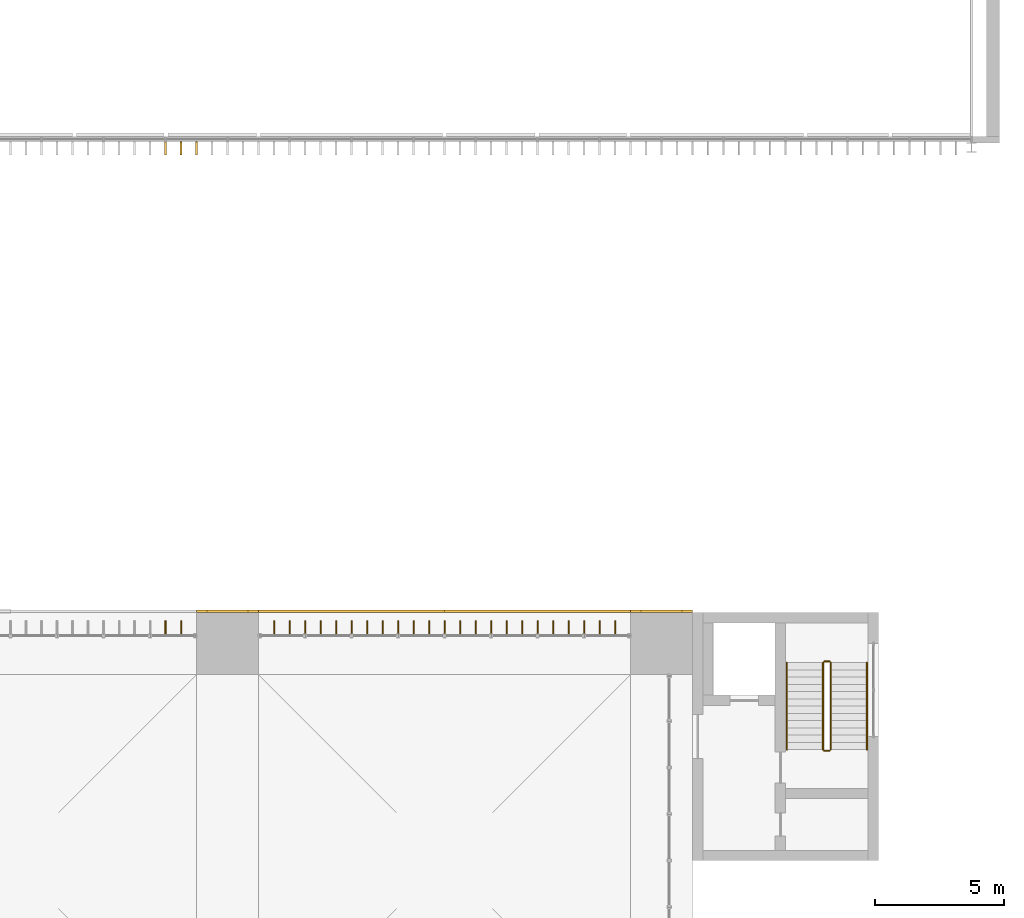
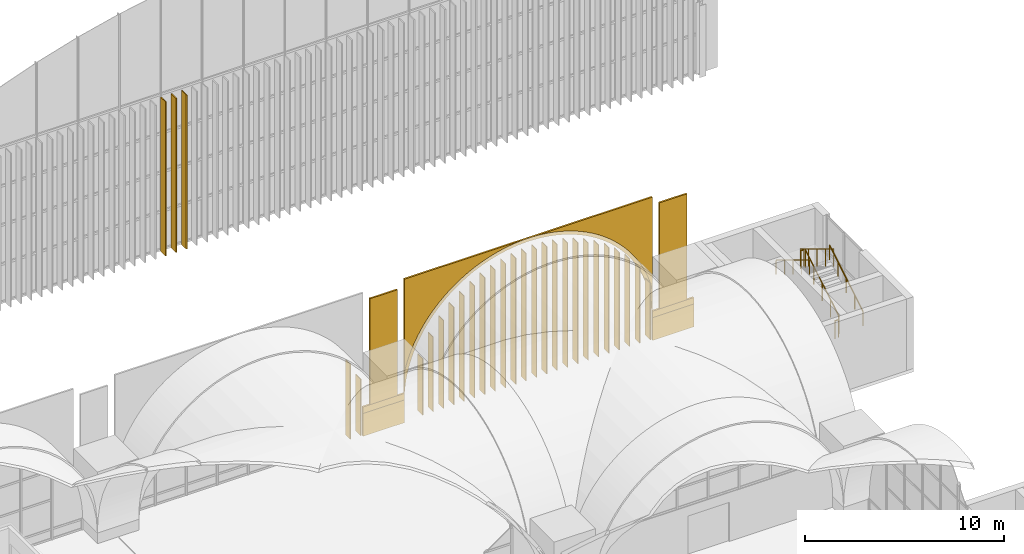
# One storey, part 168 of 169: 28 shading devices, 9 coverings, 6 railings.
"""IFC4 building model written with IfcOpenShell, lengths in metres."""

import ifcopenshell
import ifcopenshell.guid

model = None  # the IFC model being written
_history = None  # IfcOwnerHistory: only IFC2X3 demands one
_inside = {}  # id of a spatial element -> (the spatial element, [elements in it])
_under = {}  # id of a project, library or spatial element -> (it, [spatial elements below it])
_declared = {}  # id of a project -> (the project, [libraries it declares])
_typed = {}  # id of a type object -> (the type object, [elements of that type])
_made_of = {}  # id of a material, layer set ... -> (it, [elements and type objects made of it])


def new_model(schema):
    """Start an empty IFC model of exactly this schema.

    Asked for "IFC4X3", IfcOpenShell would pick the latest addendum, in which some entities
    have other attributes; the version numbers below select the first issue.
    IFC2X3 requires an IfcOwnerHistory on every rooted entity: one is made here for all.
    """
    global model, _history
    if schema == "IFC4X3":
        model = ifcopenshell.file(schema_version=(4, 3, 0, 0))
    else:
        model = ifcopenshell.file(schema=schema)
    _inside.clear()
    _under.clear()
    _declared.clear()
    _typed.clear()
    _made_of.clear()
    _history = None
    if model.schema == "IFC2X3":
        org = make("IfcOrganization", Name="unknown")
        user = make(
            "IfcPersonAndOrganization",
            ThePerson=make("IfcPerson", FamilyName="unknown"),
            TheOrganization=org,
        )
        app = make(
            "IfcApplication",
            ApplicationDeveloper=org,
            Version="unknown",
            ApplicationFullName="unknown",
            ApplicationIdentifier="unknown",
        )
        _history = make(
            "IfcOwnerHistory",
            OwningUser=user,
            OwningApplication=app,
            ChangeAction="ADDED",
            CreationDate=0,
        )
    return model


def make(cls, **values):
    """One entity of the class cls with the attributes given. An attribute that is None is left unset."""
    return model.create_entity(
        cls, **{name: value for name, value in values.items() if value is not None}
    )


def rooted(cls, **values):
    """An entity with a GlobalId (a new one), such as an element, a storey or a relation."""
    return make(cls, GlobalId=ifcopenshell.guid.new(), OwnerHistory=_history, **values)


def si_unit(unit_type, name, prefix=None):
    """IfcSIUnit, for example si_unit("LENGTHUNIT", "METRE", prefix="MILLI")."""
    return make("IfcSIUnit", UnitType=unit_type, Prefix=prefix, Name=name)


def assignment(units):
    """IfcUnitAssignment: the units of a project."""
    return None if units is None else make("IfcUnitAssignment", Units=units)


def point(xyz):
    """IfcCartesianPoint."""
    return None if xyz is None else make("IfcCartesianPoint", Coordinates=xyz)


def direction(xyz):
    """IfcDirection."""
    return None if xyz is None else make("IfcDirection", DirectionRatios=xyz)


def frame(location, z_axis=None, x_axis=None):
    """IfcAxis2Placement3D, a coordinate frame: its origin and axes. An axis left out is left unset."""
    return make(
        "IfcAxis2Placement3D",
        Location=point(location),
        Axis=direction(z_axis),
        RefDirection=direction(x_axis),
    )


def frame_2d(location, x_axis=None):
    """IfcAxis2Placement2D, a coordinate frame in the plane: its origin and x axis."""
    return make(
        "IfcAxis2Placement2D", Location=point(location), RefDirection=direction(x_axis)
    )


def origin():
    """The frame at (0, 0, 0) with its axes left unset."""
    return frame((0.0, 0.0, 0.0))


def origin_2d():
    """The frame at (0, 0) in the plane with its x axis left unset."""
    return frame_2d((0.0, 0.0))


def place(relative_to, where):
    """IfcLocalPlacement: puts the frame where relative to a parent placement (None: the world)."""
    return make(
        "IfcLocalPlacement", PlacementRelTo=relative_to, RelativePlacement=where
    )


def context(
    kind, dimensions, precision=None, world=None, true_north=None, identifier=None
):
    """IfcGeometricRepresentationContext, for example the 3D "Model" context."""
    return make(
        "IfcGeometricRepresentationContext",
        ContextIdentifier=identifier,
        ContextType=kind,
        CoordinateSpaceDimension=dimensions,
        Precision=precision,
        WorldCoordinateSystem=world,
        TrueNorth=true_north,
    )


def subcontext(parent, identifier, kind, view, scale=None):
    """IfcGeometricRepresentationSubContext, for example "Body" below "Model"."""
    return make(
        "IfcGeometricRepresentationSubContext",
        ContextIdentifier=identifier,
        ContextType=kind,
        ParentContext=parent,
        TargetScale=scale,
        TargetView=view,
    )


def project(units=None, contexts=None):
    """IfcProject with its units and contexts."""
    return rooted(
        "IfcProject",
        Name="project",
        RepresentationContexts=contexts,
        UnitsInContext=assignment(units),
    )


def spatial(cls, under=None, at=None, **own):
    """A site, building, storey or space (cls), placed at a placement, below another one or the project."""
    s = rooted(cls, ObjectPlacement=at, **own)
    if under is not None:
        _under.setdefault(under.id(), (under, []))[1].append(s)
    return s


def polyline(points):
    """IfcPolyline through the points."""
    return make("IfcPolyline", Points=[point(p) for p in points])


def profile(cls, at=None, kind="AREA", **sizes):
    """A parametric profile (cls). Its sizes go by their IFC names, for example OverallWidth=200.0."""
    return make(cls, ProfileType=kind, Position=at, **sizes)


def rectangle(**sizes):
    """IfcRectangleProfileDef."""
    return profile("IfcRectangleProfileDef", **sizes)


def circle(**sizes):
    """IfcCircleProfileDef."""
    return profile("IfcCircleProfileDef", **sizes)


def outline(outer, holes=None, kind="AREA"):
    """IfcArbitraryClosedProfileDef: a profile drawn as a closed curve; with holes, ...WithVoids."""
    if holes is None:
        return make("IfcArbitraryClosedProfileDef", ProfileType=kind, OuterCurve=outer)
    return make(
        "IfcArbitraryProfileDefWithVoids",
        ProfileType=kind,
        OuterCurve=outer,
        InnerCurves=holes,
    )


def extrude(swept, where, along, depth):
    """IfcExtrudedAreaSolid: the profile swept, set in the frame where, extruded along a direction by depth."""
    return make(
        "IfcExtrudedAreaSolid",
        SweptArea=swept,
        Position=where,
        ExtrudedDirection=direction(along),
        Depth=depth,
    )


def shape(context_of_items, identifier, shape_type, items):
    """IfcShapeRepresentation: the items that make up one representation, for example the "Body"."""
    return make(
        "IfcShapeRepresentation",
        ContextOfItems=context_of_items,
        RepresentationIdentifier=identifier,
        RepresentationType=shape_type,
        Items=items,
    )


def material(Name=None, Category=None):
    """IfcMaterial."""
    return make("IfcMaterial", Name=Name, Category=Category)


def layer(
    of_material, thickness, ventilated=None, Name=None, Category=None, Priority=None
):
    """IfcMaterialLayer: one layer of a wall or slab, of a material (None: an air gap)."""
    return make(
        "IfcMaterialLayer",
        Material=of_material,
        LayerThickness=thickness,
        IsVentilated=ventilated,
        Name=Name,
        Category=Category,
        Priority=Priority,
    )


def layer_set(layers, Name=None):
    """IfcMaterialLayerSet."""
    return make("IfcMaterialLayerSet", MaterialLayers=layers, LayerSetName=Name)


def made_of(thing, what):
    """Note that an element or type object is made of a material, layer set ...; save() writes the relation."""
    if what is not None:
        _made_of.setdefault(what.id(), (what, []))[1].append(thing)
    return thing


def type_object(cls, material=None, **own):
    """A type object (cls), such as IfcWallType, which elements share."""
    return made_of(rooted(cls, **own), material)


def element(
    cls,
    number,
    at=None,
    inside=None,
    cuts=None,
    type_object=None,
    material=None,
    context=None,
    identifier="Body",
    shape_type=None,
    held_by="IfcProductDefinitionShape",
    body=None,
    shapes=None,
    **own,
):
    """One element of the class cls, such as IfcWall. Its Tag is "e" and its number.

    at: its placement. inside: the storey or other place that contains it. cuts: it is an
    opening in that element (IfcRelVoidsElement). A single representation is given by context,
    identifier, shape_type and body (its items); several are given by shapes. held_by: the class
    of the entity that holds the representations. save() writes the other relations.
    """
    e = rooted(cls, Tag="e%d" % number, ObjectPlacement=at, **own)
    if body is not None:
        shapes = [shape(context, identifier, shape_type, body)]
    if shapes is not None:
        e.Representation = make(held_by, Representations=shapes)
    if inside is not None:
        _inside.setdefault(inside.id(), (inside, []))[1].append(e)
    if cuts is not None:
        rooted(
            "IfcRelVoidsElement", RelatingBuildingElement=cuts, RelatedOpeningElement=e
        )
    if type_object is not None:
        _typed.setdefault(type_object.id(), (type_object, []))[1].append(e)
    return made_of(e, material)


def aggregate(whole, parts):
    """IfcRelAggregates: a whole, such as a stair, and the parts it consists of."""
    return rooted("IfcRelAggregates", RelatingObject=whole, RelatedObjects=parts)


def save(model, path):
    """Write the relations noted so far, then the file.

    IfcRelAggregates (storeys below a building ...), IfcRelContainedInSpatialStructure (elements
    in a storey), IfcRelDefinesByType, IfcRelAssociatesMaterial and IfcRelDeclares: one each for
    every whole, place, type object, material and project.
    """
    for whole, parts in _under.values():
        aggregate(whole, parts)
    for where, things in _inside.values():
        rooted(
            "IfcRelContainedInSpatialStructure",
            RelatedElements=things,
            RelatingStructure=where,
        )
    for kind, things in _typed.values():
        rooted("IfcRelDefinesByType", RelatedObjects=things, RelatingType=kind)
    for what, things in _made_of.values():
        rooted("IfcRelAssociatesMaterial", RelatedObjects=things, RelatingMaterial=what)
    for by, libraries in _declared.values():
        rooted("IfcRelDeclares", RelatingContext=by, RelatedDefinitions=libraries)
    model.write(path)


model = new_model("IFC4")

# Units and contexts
model_context = context("Model", 3, precision=1e-05, world=origin(), true_north=direction((0.0, 1.0)))
body_context = subcontext(model_context, "Body", "Model", "MODEL_VIEW")
ifc_project = project(units=[si_unit("LENGTHUNIT", "METRE"), si_unit("AREAUNIT", "SQUARE_METRE"), si_unit("VOLUMEUNIT", "CUBIC_METRE"), si_unit("PLANEANGLEUNIT", "RADIAN"), si_unit("MASSUNIT", "GRAM", prefix="KILO")], contexts=[model_context])

# Site, building, storey
site_placement = place(None, origin())
site = spatial("IfcSite", under=ifc_project, at=site_placement, CompositionType="ELEMENT")
building_placement = place(site_placement, origin())
building = spatial("IfcBuilding", under=site, at=building_placement, Name="Verrick Yard Athletic Hall", CompositionType="ELEMENT")
storey_placement = place(building_placement, frame((0.0, 0.0, 4.39990234375)))
storey = spatial("IfcBuildingStorey", under=building, at=storey_placement, Name="L01", CompositionType="ELEMENT", Elevation=4.39990234375)

# Shading devices
ifc_material_1 = material(Name="Anodised aluminium", Category="aluminium")
ifc_layer_1 = layer(ifc_material_1, 0.0400390625)
ifc_layer_set_1 = layer_set([ifc_layer_1], Name="Arcade fin")
shading_device_type_1 = type_object("IfcShadingDeviceType", Name="Arcade fin", PredefinedType="USERDEFINED", material=ifc_layer_set_1)
shading_device_1_placement = place(storey_placement, frame((138.39990234375, 53.17626953125, 0.0), z_axis=(0.0, 0.0, 1.0), x_axis=(0.0, 1.0, 0.0)))
element("IfcShadingDevice", 1, at=shading_device_1_placement, inside=storey, type_object=shading_device_type_1, Name="Fin RN6.22", ObjectType="FIN", PredefinedType="USERDEFINED", context=body_context, shape_type="SweptSolid", body=[
    extrude(outline(polyline([(0.0, 0.0), (0.5, 0.0), (0.5, 4.5966796875), (0.0, 4.5966796875), (0.0, 0.0)])), frame((0.0, 0.02001953125, 0.0), z_axis=(0.0, -1.0, 0.0), x_axis=(1.0, 0.0, 0.0)), (0.0, 0.0, 1.0), 0.0400390625),
])
for number, where, z_axis, x_axis, name in (
    (2, (139.0, 53.17626953125, 0.0), (0.0, 0.0, 1.0), (0.0, 1.0, 0.0), "Fin RN6.23"),
    (3, (142.60009765625, 53.17626953125, 0.0), (0.0, 0.0, 1.0), (0.0, 1.0, 0.0), "Fin RN7.1"),
):
    element("IfcShadingDevice", number, at=place(storey_placement, frame(where, z_axis=z_axis, x_axis=x_axis)), inside=storey, type_object=shading_device_type_1, Name=name, ObjectType="FIN", PredefinedType="USERDEFINED", context=body_context, shape_type="SweptSolid", body=[
        extrude(outline(polyline([(0.0, 0.0), (0.5, 0.0), (0.5, 3.4775390625), (0.0, 3.4775390625), (0.0, 0.0)])), frame((0.0, 0.02001953125, 0.0), z_axis=(0.0, -1.0, 0.0), x_axis=(1.0, 0.0, 0.0)), (0.0, 0.0, 1.0), 0.0400390625),
    ])
shading_device_2_placement = place(storey_placement, frame((143.199951171875, 53.17626953125, 0.0), z_axis=(0.0, 0.0, 1.0), x_axis=(0.0, 1.0, 0.0)))
element("IfcShadingDevice", 4, at=shading_device_2_placement, inside=storey, type_object=shading_device_type_1, Name="Fin RN7.2", ObjectType="FIN", PredefinedType="USERDEFINED", context=body_context, shape_type="SweptSolid", body=[
    extrude(outline(polyline([(0.0, 0.0), (0.5, 0.0), (0.5, 4.5966796875), (0.0, 4.5966796875), (0.0, 0.0)])), frame((0.0, 0.02001953125, 0.0), z_axis=(0.0, -1.0, 0.0), x_axis=(1.0, 0.0, 0.0)), (0.0, 0.0, 1.0), 0.0400390625),
])
shading_device_3_placement = place(storey_placement, frame((143.800048828125, 53.17626953125, 0.0), z_axis=(0.0, 0.0, 1.0), x_axis=(0.0, 1.0, 0.0)))
element("IfcShadingDevice", 5, at=shading_device_3_placement, inside=storey, type_object=shading_device_type_1, Name="Fin RN7.3", ObjectType="FIN", PredefinedType="USERDEFINED", context=body_context, shape_type="SweptSolid", body=[
    extrude(outline(polyline([(0.0, 0.0), (0.5, 0.0), (0.5, 5.38671875), (0.0, 5.38671875), (0.0, 0.0)])), frame((0.0, 0.02001953125, 0.0), z_axis=(0.0, -1.0, 0.0), x_axis=(1.0, 0.0, 0.0)), (0.0, 0.0, 1.0), 0.0400390625),
])
shading_device_4_placement = place(storey_placement, frame((144.39990234375, 53.17626953125, 0.0), z_axis=(0.0, 0.0, 1.0), x_axis=(0.0, 1.0, 0.0)))
element("IfcShadingDevice", 6, at=shading_device_4_placement, inside=storey, type_object=shading_device_type_1, Name="Fin RN7.4", ObjectType="FIN", PredefinedType="USERDEFINED", context=body_context, shape_type="SweptSolid", body=[
    extrude(outline(polyline([(0.0, 0.0), (0.5, 0.0), (0.5, 5.996826171875), (0.0, 5.996826171875), (0.0, 0.0)])), frame((0.0, 0.02001953125, 0.0), z_axis=(0.0, -1.0, 0.0), x_axis=(1.0, 0.0, 0.0)), (0.0, 0.0, 1.0), 0.0400390625),
])
shading_device_5_placement = place(storey_placement, frame((145.0, 53.17626953125, 0.0), z_axis=(0.0, 0.0, 1.0), x_axis=(0.0, 1.0, 0.0)))
element("IfcShadingDevice", 7, at=shading_device_5_placement, inside=storey, type_object=shading_device_type_1, Name="Fin RN7.5", ObjectType="FIN", PredefinedType="USERDEFINED", context=body_context, shape_type="SweptSolid", body=[
    extrude(outline(polyline([(0.0, 0.0), (0.5, 0.0), (0.5, 6.481201171875), (0.0, 6.481201171875), (0.0, 0.0)])), frame((0.0, 0.02001953125, 0.0), z_axis=(0.0, -1.0, 0.0), x_axis=(1.0, 0.0, 0.0)), (0.0, 0.0, 1.0), 0.0400390625),
])
shading_device_6_placement = place(storey_placement, frame((145.60009765625, 53.17626953125, 0.0), z_axis=(0.0, 0.0, 1.0), x_axis=(0.0, 1.0, 0.0)))
element("IfcShadingDevice", 8, at=shading_device_6_placement, inside=storey, type_object=shading_device_type_1, Name="Fin RN7.6", ObjectType="FIN", PredefinedType="USERDEFINED", context=body_context, shape_type="SweptSolid", body=[
    extrude(outline(polyline([(0.0, 0.0), (0.5, 0.0), (0.5, 6.872802734375), (0.0, 6.872802734375), (0.0, 0.0)])), frame((0.0, 0.02001953125, 0.0), z_axis=(0.0, -1.0, 0.0), x_axis=(1.0, 0.0, 0.0)), (0.0, 0.0, 1.0), 0.0400390625),
])
shading_device_7_placement = place(storey_placement, frame((146.199951171875, 53.17626953125, 0.0), z_axis=(0.0, 0.0, 1.0), x_axis=(0.0, 1.0, 0.0)))
element("IfcShadingDevice", 9, at=shading_device_7_placement, inside=storey, type_object=shading_device_type_1, Name="Fin RN7.7", ObjectType="FIN", PredefinedType="USERDEFINED", context=body_context, shape_type="SweptSolid", body=[
    extrude(outline(polyline([(0.0, 0.0), (0.5, 0.0), (0.5, 7.18505859375), (0.0, 7.18505859375), (0.0, 0.0)])), frame((0.0, 0.02001953125, 0.0), z_axis=(0.0, -1.0, 0.0), x_axis=(1.0, 0.0, 0.0)), (0.0, 0.0, 1.0), 0.0400390625),
])
shading_device_8_placement = place(storey_placement, frame((146.800048828125, 53.17626953125, 0.0), z_axis=(0.0, 0.0, 1.0), x_axis=(0.0, 1.0, 0.0)))
element("IfcShadingDevice", 10, at=shading_device_8_placement, inside=storey, type_object=shading_device_type_1, Name="Fin RN7.8", ObjectType="FIN", PredefinedType="USERDEFINED", context=body_context, shape_type="SweptSolid", body=[
    extrude(outline(polyline([(0.0, 0.0), (0.5, 0.0), (0.5, 7.4296875), (0.0, 7.4296875), (0.0, 0.0)])), frame((0.0, 0.02001953125, 0.0), z_axis=(0.0, -1.0, 0.0), x_axis=(1.0, 0.0, 0.0)), (0.0, 0.0, 1.0), 0.0400390625),
])
shading_device_9_placement = place(storey_placement, frame((147.39990234375, 53.17626953125, 0.0), z_axis=(0.0, 0.0, 1.0), x_axis=(0.0, 1.0, 0.0)))
element("IfcShadingDevice", 11, at=shading_device_9_placement, inside=storey, type_object=shading_device_type_1, Name="Fin RN7.9", ObjectType="FIN", PredefinedType="USERDEFINED", context=body_context, shape_type="SweptSolid", body=[
    extrude(outline(polyline([(0.0, 0.0), (0.5, 0.0), (0.5, 7.614990234375), (0.0, 7.614990234375), (0.0, 0.0)])), frame((0.0, 0.02001953125, 0.0), z_axis=(0.0, -1.0, 0.0), x_axis=(1.0, 0.0, 0.0)), (0.0, 0.0, 1.0), 0.0400390625),
])
shading_device_10_placement = place(storey_placement, frame((148.0, 53.17626953125, 0.0), z_axis=(0.0, 0.0, 1.0), x_axis=(0.0, 1.0, 0.0)))
element("IfcShadingDevice", 12, at=shading_device_10_placement, inside=storey, type_object=shading_device_type_1, Name="Fin RN7.10", ObjectType="FIN", PredefinedType="USERDEFINED", context=body_context, shape_type="SweptSolid", body=[
    extrude(outline(polyline([(0.0, 0.0), (0.5, 0.0), (0.5, 7.744873046875), (0.0, 7.744873046875), (0.0, 0.0)])), frame((0.0, 0.02001953125, 0.0), z_axis=(0.0, -1.0, 0.0), x_axis=(1.0, 0.0, 0.0)), (0.0, 0.0, 1.0), 0.0400390625),
])
shading_device_11_placement = place(storey_placement, frame((148.60009765625, 53.17626953125, 0.0), z_axis=(0.0, 0.0, 1.0), x_axis=(0.0, 1.0, 0.0)))
element("IfcShadingDevice", 13, at=shading_device_11_placement, inside=storey, type_object=shading_device_type_1, Name="Fin RN7.11", ObjectType="FIN", PredefinedType="USERDEFINED", context=body_context, shape_type="SweptSolid", body=[
    extrude(outline(polyline([(0.0, 0.0), (0.5, 0.0), (0.5, 7.82275390625), (0.0, 7.82275390625), (0.0, 0.0)])), frame((0.0, 0.02001953125, 0.0), z_axis=(0.0, -1.0, 0.0), x_axis=(1.0, 0.0, 0.0)), (0.0, 0.0, 1.0), 0.0400390625),
])
shading_device_12_placement = place(storey_placement, frame((149.199951171875, 53.17626953125, 0.0), z_axis=(0.0, 0.0, 1.0), x_axis=(0.0, 1.0, 0.0)))
element("IfcShadingDevice", 14, at=shading_device_12_placement, inside=storey, type_object=shading_device_type_1, Name="Fin RN7.12", ObjectType="FIN", PredefinedType="USERDEFINED", context=body_context, shape_type="SweptSolid", body=[
    extrude(outline(polyline([(0.0, 0.0), (0.5, 0.0), (0.5, 7.84912109375), (0.0, 7.84912109375), (0.0, 0.0)])), frame((0.0, 0.02001953125, 0.0), z_axis=(0.0, -1.0, 0.0), x_axis=(1.0, 0.0, 0.0)), (0.0, 0.0, 1.0), 0.0400390625),
])
shading_device_13_placement = place(storey_placement, frame((149.800048828125, 53.17626953125, 0.0), z_axis=(0.0, 0.0, 1.0), x_axis=(0.0, 1.0, 0.0)))
element("IfcShadingDevice", 15, at=shading_device_13_placement, inside=storey, type_object=shading_device_type_1, Name="Fin RN7.13", ObjectType="FIN", PredefinedType="USERDEFINED", context=body_context, shape_type="SweptSolid", body=[
    extrude(outline(polyline([(0.0, 0.0), (0.5, 0.0), (0.5, 7.82275390625), (0.0, 7.82275390625), (0.0, 0.0)])), frame((0.0, 0.02001953125, 0.0), z_axis=(0.0, -1.0, 0.0), x_axis=(1.0, 0.0, 0.0)), (0.0, 0.0, 1.0), 0.0400390625),
])
shading_device_14_placement = place(storey_placement, frame((150.39990234375, 53.17626953125, 0.0), z_axis=(0.0, 0.0, 1.0), x_axis=(0.0, 1.0, 0.0)))
element("IfcShadingDevice", 16, at=shading_device_14_placement, inside=storey, type_object=shading_device_type_1, Name="Fin RN7.14", ObjectType="FIN", PredefinedType="USERDEFINED", context=body_context, shape_type="SweptSolid", body=[
    extrude(outline(polyline([(0.0, 0.0), (0.5, 0.0), (0.5, 7.744873046875), (0.0, 7.744873046875), (0.0, 0.0)])), frame((0.0, 0.02001953125, 0.0), z_axis=(0.0, -1.0, 0.0), x_axis=(1.0, 0.0, 0.0)), (0.0, 0.0, 1.0), 0.0400390625),
])
shading_device_15_placement = place(storey_placement, frame((151.0, 53.17626953125, 0.0), z_axis=(0.0, 0.0, 1.0), x_axis=(0.0, 1.0, 0.0)))
element("IfcShadingDevice", 17, at=shading_device_15_placement, inside=storey, type_object=shading_device_type_1, Name="Fin RN7.15", ObjectType="FIN", PredefinedType="USERDEFINED", context=body_context, shape_type="SweptSolid", body=[
    extrude(outline(polyline([(0.0, 0.0), (0.5, 0.0), (0.5, 7.614990234375), (0.0, 7.614990234375), (0.0, 0.0)])), frame((0.0, 0.02001953125, 0.0), z_axis=(0.0, -1.0, 0.0), x_axis=(1.0, 0.0, 0.0)), (0.0, 0.0, 1.0), 0.0400390625),
])
shading_device_16_placement = place(storey_placement, frame((151.60009765625, 53.17626953125, 0.0), z_axis=(0.0, 0.0, 1.0), x_axis=(0.0, 1.0, 0.0)))
element("IfcShadingDevice", 18, at=shading_device_16_placement, inside=storey, type_object=shading_device_type_1, Name="Fin RN7.16", ObjectType="FIN", PredefinedType="USERDEFINED", context=body_context, shape_type="SweptSolid", body=[
    extrude(outline(polyline([(0.0, 0.0), (0.5, 0.0), (0.5, 7.4296875), (0.0, 7.4296875), (0.0, 0.0)])), frame((0.0, 0.02001953125, 0.0), z_axis=(0.0, -1.0, 0.0), x_axis=(1.0, 0.0, 0.0)), (0.0, 0.0, 1.0), 0.0400390625),
])
shading_device_17_placement = place(storey_placement, frame((152.199951171875, 53.17626953125, 0.0), z_axis=(0.0, 0.0, 1.0), x_axis=(0.0, 1.0, 0.0)))
element("IfcShadingDevice", 19, at=shading_device_17_placement, inside=storey, type_object=shading_device_type_1, Name="Fin RN7.17", ObjectType="FIN", PredefinedType="USERDEFINED", context=body_context, shape_type="SweptSolid", body=[
    extrude(outline(polyline([(0.0, 0.0), (0.5, 0.0), (0.5, 7.18505859375), (0.0, 7.18505859375), (0.0, 0.0)])), frame((0.0, 0.02001953125, 0.0), z_axis=(0.0, -1.0, 0.0), x_axis=(1.0, 0.0, 0.0)), (0.0, 0.0, 1.0), 0.0400390625),
])
shading_device_18_placement = place(storey_placement, frame((152.800048828125, 53.17626953125, 0.0), z_axis=(0.0, 0.0, 1.0), x_axis=(0.0, 1.0, 0.0)))
element("IfcShadingDevice", 20, at=shading_device_18_placement, inside=storey, type_object=shading_device_type_1, Name="Fin RN7.18", ObjectType="FIN", PredefinedType="USERDEFINED", context=body_context, shape_type="SweptSolid", body=[
    extrude(outline(polyline([(0.0, 0.0), (0.5, 0.0), (0.5, 6.872802734375), (0.0, 6.872802734375), (0.0, 0.0)])), frame((0.0, 0.02001953125, 0.0), z_axis=(0.0, -1.0, 0.0), x_axis=(1.0, 0.0, 0.0)), (0.0, 0.0, 1.0), 0.0400390625),
])
shading_device_19_placement = place(storey_placement, frame((153.39990234375, 53.17626953125, 0.0), z_axis=(0.0, 0.0, 1.0), x_axis=(0.0, 1.0, 0.0)))
element("IfcShadingDevice", 21, at=shading_device_19_placement, inside=storey, type_object=shading_device_type_1, Name="Fin RN7.19", ObjectType="FIN", PredefinedType="USERDEFINED", context=body_context, shape_type="SweptSolid", body=[
    extrude(outline(polyline([(0.0, 0.0), (0.5, 0.0), (0.5, 6.481201171875), (0.0, 6.481201171875), (0.0, 0.0)])), frame((0.0, 0.02001953125, 0.0), z_axis=(0.0, -1.0, 0.0), x_axis=(1.0, 0.0, 0.0)), (0.0, 0.0, 1.0), 0.0400390625),
])
shading_device_20_placement = place(storey_placement, frame((154.0, 53.17626953125, 0.0), z_axis=(0.0, 0.0, 1.0), x_axis=(0.0, 1.0, 0.0)))
element("IfcShadingDevice", 22, at=shading_device_20_placement, inside=storey, type_object=shading_device_type_1, Name="Fin RN7.20", ObjectType="FIN", PredefinedType="USERDEFINED", context=body_context, shape_type="SweptSolid", body=[
    extrude(outline(polyline([(0.0, 0.0), (0.5, 0.0), (0.5, 5.996826171875), (0.0, 5.996826171875), (0.0, 0.0)])), frame((0.0, 0.02001953125, 0.0), z_axis=(0.0, -1.0, 0.0), x_axis=(1.0, 0.0, 0.0)), (0.0, 0.0, 1.0), 0.0400390625),
])
shading_device_21_placement = place(storey_placement, frame((154.60009765625, 53.17626953125, 0.0), z_axis=(0.0, 0.0, 1.0), x_axis=(0.0, 1.0, 0.0)))
element("IfcShadingDevice", 23, at=shading_device_21_placement, inside=storey, type_object=shading_device_type_1, Name="Fin RN7.21", ObjectType="FIN", PredefinedType="USERDEFINED", context=body_context, shape_type="SweptSolid", body=[
    extrude(outline(polyline([(0.0, 0.0), (0.5, 0.0), (0.5, 5.38671875), (0.0, 5.38671875), (0.0, 0.0)])), frame((0.0, 0.02001953125, 0.0), z_axis=(0.0, -1.0, 0.0), x_axis=(1.0, 0.0, 0.0)), (0.0, 0.0, 1.0), 0.0400390625),
])
shading_device_22_placement = place(storey_placement, frame((155.199951171875, 53.17626953125, 0.0), z_axis=(0.0, 0.0, 1.0), x_axis=(0.0, 1.0, 0.0)))
element("IfcShadingDevice", 24, at=shading_device_22_placement, inside=storey, type_object=shading_device_type_1, Name="Fin RN7.22", ObjectType="FIN", PredefinedType="USERDEFINED", context=body_context, shape_type="SweptSolid", body=[
    extrude(outline(polyline([(0.0, 0.0), (0.5, 0.0), (0.5, 4.5966796875), (0.0, 4.5966796875), (0.0, 0.0)])), frame((0.0, 0.02001953125, 0.0), z_axis=(0.0, -1.0, 0.0), x_axis=(1.0, 0.0, 0.0)), (0.0, 0.0, 1.0), 0.0400390625),
])
shading_device_23_placement = place(storey_placement, frame((155.800048828125, 53.17626953125, 0.0), z_axis=(0.0, 0.0, 1.0), x_axis=(0.0, 1.0, 0.0)))
element("IfcShadingDevice", 25, at=shading_device_23_placement, inside=storey, type_object=shading_device_type_1, Name="Fin RN7.23", ObjectType="FIN", PredefinedType="USERDEFINED", context=body_context, shape_type="SweptSolid", body=[
    extrude(outline(polyline([(0.0, 0.0), (0.5, 0.0), (0.5, 3.4775390625), (0.0, 3.4775390625), (0.0, 0.0)])), frame((0.0, 0.02001953125, 0.0), z_axis=(0.0, -1.0, 0.0), x_axis=(1.0, 0.0, 0.0)), (0.0, 0.0, 1.0), 0.0400390625),
])

# Covering
ifc_material_2 = material(Name="Limestone cladding", Category="masonry")
ifc_layer_2 = layer(ifc_material_2, 0.10009765625)
ifc_layer_set_2 = layer_set([ifc_layer_2], Name="Arch ring cladding")
covering_type_1 = type_object("IfcCoveringType", Name="Arch ring cladding", PredefinedType="CLADDING", material=ifc_layer_set_2)
covering_1_placement = place(storey_placement, frame((142.0, 54.050048828125, 0.650146484375), z_axis=(0.0, 0.0, 1.0), x_axis=(1.0, 0.0, 0.0)))
element("IfcCovering", 26, at=covering_1_placement, inside=storey, type_object=covering_type_1, Name="Arch ring RN7", PredefinedType="CLADDING", context=body_context, shape_type="SweptSolid", body=[
    extrude(outline(polyline([(0.0, 1.7021484375), (0.0, 0.0), (0.0068359375, 0.31396484375), (0.02734375, 0.62744140625), (0.0615234375, 0.939697265625), (0.109375, 1.250244140625), (0.170654296875, 1.558349609375), (0.245361328125, 1.863525390625), (0.333251953125, 2.1650390625), (0.43408203125, 2.46240234375), (0.548095703125, 2.75537109375), (0.674560546875, 3.04296875), (0.8134765625, 3.324462890625), (0.964599609375, 3.599853515625), (1.127685546875, 3.86865234375), (1.302001953125, 4.129638671875), (1.48779296875, 4.383056640625), (1.6845703125, 4.6279296875), (1.8916015625, 4.8642578125), (2.10888671875, 5.091064453125), (2.335693359375, 5.308349609375), (2.572021484375, 5.515380859375), (2.81689453125, 5.712158203125), (3.0703125, 5.89794921875), (3.331298828125, 6.072265625), (3.60009765625, 6.2353515625), (3.87548828125, 6.386474609375), (4.156982421875, 6.525390625), (4.444580078125, 6.65185546875), (4.737548828125, 6.765869140625), (5.034912109375, 6.86669921875), (5.33642578125, 6.95458984375), (5.6416015625, 7.029296875), (5.94970703125, 7.090576171875), (6.26025390625, 7.138427734375), (6.572509765625, 7.172607421875), (6.885986328125, 7.193115234375), (7.199951171875, 7.199951171875), (7.51416015625, 7.193115234375), (7.827392578125, 7.172607421875), (8.139892578125, 7.138427734375), (8.4501953125, 7.090576171875), (8.75830078125, 7.029296875), (9.0634765625, 6.95458984375), (9.364990234375, 6.86669921875), (9.66259765625, 6.765869140625), (9.955322265625, 6.65185546875), (10.242919921875, 6.525390625), (10.524658203125, 6.386474609375), (10.800048828125, 6.2353515625), (11.068603515625, 6.072265625), (11.329833984375, 5.89794921875), (11.5830078125, 5.712158203125), (11.828125, 5.515380859375), (12.064208984375, 5.308349609375), (12.291259765625, 5.091064453125), (12.50830078125, 4.8642578125), (12.715576171875, 4.6279296875), (12.912109375, 4.383056640625), (13.097900390625, 4.129638671875), (13.2724609375, 3.86865234375), (13.435302734375, 3.599853515625), (13.58642578125, 3.324462890625), (13.725341796875, 3.04296875), (13.851806640625, 2.75537109375), (13.9658203125, 2.46240234375), (14.06689453125, 2.1650390625), (14.15478515625, 1.863525390625), (14.229248046875, 1.558349609375), (14.29052734375, 1.250244140625), (14.33837890625, 0.939697265625), (14.37255859375, 0.62744140625), (14.39306640625, 0.31396484375), (14.39990234375, 0.0), (14.39990234375, 1.7021484375), (14.347900390625, 1.915283203125), (14.257568359375, 2.22509765625), (14.15380859375, 2.53076171875), (14.03662109375, 2.831787109375), (13.90673828125, 3.12744140625), (13.763916015625, 3.416748046875), (13.608642578125, 3.699951171875), (13.441162109375, 3.975830078125), (13.26171875, 4.244384765625), (13.07080078125, 4.504638671875), (12.86865234375, 4.756591796875), (12.656005859375, 4.999267578125), (12.4326171875, 5.232666015625), (12.199462890625, 5.455810546875), (11.95654296875, 5.668701171875), (11.704833984375, 5.870849609375), (11.444580078125, 6.061767578125), (11.176025390625, 6.240966796875), (10.89990234375, 6.408447265625), (10.616943359375, 6.56396484375), (10.327392578125, 6.70654296875), (10.031982421875, 6.836669921875), (9.73095703125, 6.95361328125), (9.42529296875, 7.057373046875), (9.115234375, 7.14794921875), (8.8017578125, 7.224609375), (8.485107421875, 7.28759765625), (8.166015625, 7.336669921875), (7.844970703125, 7.371826171875), (7.522705078125, 7.39306640625), (7.199951171875, 7.39990234375), (6.877197265625, 7.39306640625), (6.554931640625, 7.371826171875), (6.234130859375, 7.336669921875), (5.9150390625, 7.28759765625), (5.598388671875, 7.224609375), (5.28466796875, 7.14794921875), (4.974853515625, 7.057373046875), (4.669189453125, 6.95361328125), (4.3681640625, 6.836669921875), (4.072509765625, 6.70654296875), (3.783203125, 6.56396484375), (3.5, 6.408447265625), (3.22412109375, 6.240966796875), (2.95556640625, 6.061767578125), (2.6953125, 5.870849609375), (2.443359375, 5.668701171875), (2.20068359375, 5.455810546875), (1.96728515625, 5.232666015625), (1.744140625, 4.999267578125), (1.53125, 4.756591796875), (1.3291015625, 4.504638671875), (1.13818359375, 4.244384765625), (0.958984375, 3.975830078125), (0.79150390625, 3.699951171875), (0.635986328125, 3.416748046875), (0.493408203125, 3.12744140625), (0.36328125, 2.831787109375), (0.246337890625, 2.53076171875), (0.142578125, 2.22509765625), (0.052001953125, 1.915283203125), (0.0, 1.7021484375)])), frame((0.0, 0.050048828125, 0.0), z_axis=(0.0, -1.0, 0.0), x_axis=(1.0, 0.0, 0.0)), (0.0, 0.0, 1.0), 0.10009765625),
])

# Shading devices
ifc_layer_3 = layer(ifc_material_1, 0.0625)
ifc_layer_set_3 = layer_set([ifc_layer_3], Name="Hall facade fin")
shading_device_type_2 = type_object("IfcShadingDeviceType", Name="Hall facade fin", PredefinedType="USERDEFINED", material=ifc_layer_set_3)
for number, where, z_axis, x_axis, name in (
    (27, (138.39990234375, 71.71826171875, 0.0), (0.0, 0.0, 1.0), (0.0, 1.0, 0.0), "ENVB-HAS-FIN27"),
    (28, (139.0, 71.71826171875, 0.0), (0.0, 0.0, 1.0), (0.0, 1.0, 0.0), "ENVB-HAS-FIN28"),
    (29, (139.60009765625, 71.71826171875, 0.0), (0.0, 0.0, 1.0), (0.0, 1.0, 0.0), "ENVB-HAS-FIN29"),
):
    element("IfcShadingDevice", number, at=place(storey_placement, frame(where, z_axis=z_axis, x_axis=x_axis)), inside=storey, type_object=shading_device_type_2, Name=name, ObjectType="FIN", PredefinedType="USERDEFINED", context=body_context, shape_type="SweptSolid", body=[
        extrude(outline(polyline([(0.0, 0.0), (0.5, 0.0), (0.5, 9.4501953125), (0.0, 9.4501953125), (0.0, 0.0)])), frame((0.0, 0.03125, 0.0), z_axis=(0.0, -1.0, 0.0), x_axis=(1.0, 0.0, 0.0)), (0.0, 0.0, 1.0), 0.0625),
    ])

# Coverings
ifc_layer_4 = layer(ifc_material_2, 0.10009765625)
ifc_layer_set_4 = layer_set([ifc_layer_4], Name="Impost and capital moulding")
covering_type_2 = type_object("IfcCoveringType", Name="Impost and capital moulding", PredefinedType="MOLDING", material=ifc_layer_set_4)
for number, where, z_axis, x_axis, name in (
    (30, (140.800048828125, 54.050048828125, 0.650146484375), (0.0, 0.0, 1.0), (1.0, 0.0, 0.0), "Impost N7"),
    (31, (157.60009765625, 54.050048828125, 0.650146484375), (0.0, 0.0, 1.0), (1.0, 0.0, 0.0), "Impost N8"),
):
    element("IfcCovering", number, at=place(storey_placement, frame(where, z_axis=z_axis, x_axis=x_axis)), inside=storey, type_object=covering_type_2, Name=name, PredefinedType="MOLDING", context=body_context, shape_type="SweptSolid", body=[
        extrude(rectangle(XDim=2.39990234375, YDim=0.10009765625, at=origin_2d()), origin(), (0.0, 0.0, 1.0), 0.39990234375),
    ])
ifc_material_3 = material(Name="Rusticated limestone cladding", Category="masonry")
ifc_layer_5 = layer(ifc_material_3, 0.10009765625)
ifc_layer_set_5 = layer_set([ifc_layer_5], Name="Pier base cladding")
covering_type_3 = type_object("IfcCoveringType", Name="Pier base cladding", PredefinedType="CLADDING", material=ifc_layer_set_5)
for number, where, z_axis, x_axis, name in (
    (32, (140.800048828125, 54.050048828125, -0.749755859375), (0.0, 0.0, 1.0), (1.0, 0.0, 0.0), "Pier string N7"),
    (33, (157.60009765625, 54.050048828125, -0.749755859375), (0.0, 0.0, 1.0), (1.0, 0.0, 0.0), "Pier string N8"),
):
    element("IfcCovering", number, at=place(storey_placement, frame(where, z_axis=z_axis, x_axis=x_axis)), inside=storey, type_object=covering_type_3, Name=name, PredefinedType="CLADDING", context=body_context, shape_type="SweptSolid", body=[
        extrude(rectangle(XDim=2.39990234375, YDim=0.10009765625, at=origin_2d()), origin(), (0.0, 0.0, 1.0), 1.39990234375),
    ])
ifc_layer_6 = layer(ifc_material_2, 0.10009765625)
ifc_layer_set_6 = layer_set([ifc_layer_6], Name="Pilaster cladding")
covering_type_4 = type_object("IfcCoveringType", Name="Pilaster cladding", PredefinedType="CLADDING", material=ifc_layer_set_6)
for number, where, z_axis, x_axis, name in (
    (34, (140.800048828125, 54.050048828125, 1.050048828125), (0.0, 0.0, 1.0), (1.0, 0.0, 0.0), "Pilaster N7"),
    (35, (157.60009765625, 54.050048828125, 1.050048828125), (0.0, 0.0, 1.0), (1.0, 0.0, 0.0), "Pilaster N8"),
):
    element("IfcCovering", number, at=place(storey_placement, frame(where, z_axis=z_axis, x_axis=x_axis)), inside=storey, type_object=covering_type_4, Name=name, PredefinedType="CLADDING", context=body_context, shape_type="SweptSolid", body=[
        extrude(rectangle(XDim=1.60009765625, YDim=0.10009765625, at=origin_2d()), origin(), (0.0, 0.0, 1.0), 6.5),
    ])
ifc_layer_7 = layer(ifc_material_2, 0.10009765625)
ifc_layer_set_7 = layer_set([ifc_layer_7], Name="Spandrel cladding")
covering_type_5 = type_object("IfcCoveringType", Name="Spandrel cladding", PredefinedType="CLADDING", material=ifc_layer_set_7)
covering_2_placement = place(storey_placement, frame((142.0, 54.050048828125, 2.352294921875), z_axis=(0.0, 0.0, 1.0), x_axis=(1.0, 0.0, 0.0)))
element("IfcCovering", 36, at=covering_2_placement, inside=storey, type_object=covering_type_5, Name="Spandrel RN7.1", PredefinedType="CLADDING", context=body_context, shape_type="SweptSolid", body=[
    extrude(outline(polyline([(0.0, 0.0), (0.052001953125, 0.213134765625), (0.142578125, 0.52294921875), (0.246337890625, 0.82861328125), (0.36328125, 1.129638671875), (0.493408203125, 1.42529296875), (0.635986328125, 1.714599609375), (0.79150390625, 1.997802734375), (0.958984375, 2.273681640625), (1.13818359375, 2.542236328125), (1.3291015625, 2.802490234375), (1.53125, 3.054443359375), (1.744140625, 3.297119140625), (1.96728515625, 3.530517578125), (2.20068359375, 3.753662109375), (2.443359375, 3.966552734375), (2.6953125, 4.168701171875), (2.95556640625, 4.359619140625), (3.22412109375, 4.538818359375), (3.5, 4.706298828125), (3.783203125, 4.86181640625), (4.072509765625, 5.00439453125), (4.3681640625, 5.134521484375), (4.669189453125, 5.25146484375), (4.974853515625, 5.355224609375), (5.28466796875, 5.44580078125), (5.598388671875, 5.5224609375), (5.9150390625, 5.58544921875), (6.234130859375, 5.634521484375), (6.554931640625, 5.669677734375), (6.877197265625, 5.69091796875), (7.199951171875, 5.69775390625), (0.0, 5.69775390625), (0.0, 0.0)])), frame((0.0, 0.050048828125, 0.0), z_axis=(0.0, -1.0, 0.0), x_axis=(1.0, 0.0, 0.0)), (0.0, 0.0, 1.0), 0.10009765625),
])
covering_3_placement = place(storey_placement, frame((142.0, 54.050048828125, 2.352294921875), z_axis=(0.0, 0.0, 1.0), x_axis=(1.0, 0.0, 0.0)))
element("IfcCovering", 37, at=covering_3_placement, inside=storey, type_object=covering_type_5, Name="Spandrel RN7.2", PredefinedType="CLADDING", context=body_context, shape_type="SweptSolid", body=[
    extrude(outline(polyline([(7.199951171875, 5.69775390625), (7.522705078125, 5.69091796875), (7.844970703125, 5.669677734375), (8.166015625, 5.634521484375), (8.485107421875, 5.58544921875), (8.8017578125, 5.5224609375), (9.115234375, 5.44580078125), (9.42529296875, 5.355224609375), (9.73095703125, 5.25146484375), (10.031982421875, 5.134521484375), (10.327392578125, 5.00439453125), (10.616943359375, 4.86181640625), (10.89990234375, 4.706298828125), (11.176025390625, 4.538818359375), (11.444580078125, 4.359619140625), (11.704833984375, 4.168701171875), (11.95654296875, 3.966552734375), (12.199462890625, 3.753662109375), (12.4326171875, 3.530517578125), (12.656005859375, 3.297119140625), (12.86865234375, 3.054443359375), (13.07080078125, 2.802490234375), (13.26171875, 2.542236328125), (13.441162109375, 2.273681640625), (13.608642578125, 1.997802734375), (13.763916015625, 1.714599609375), (13.90673828125, 1.42529296875), (14.03662109375, 1.129638671875), (14.15380859375, 0.82861328125), (14.257568359375, 0.52294921875), (14.347900390625, 0.213134765625), (14.39990234375, 0.0), (14.39990234375, 5.69775390625), (7.199951171875, 5.69775390625)])), frame((0.0, 0.050048828125, 0.0), z_axis=(0.0, -1.0, 0.0), x_axis=(1.0, 0.0, 0.0)), (0.0, 0.0, 1.0), 0.10009765625),
])

# Railings
ifc_material_4 = material(Name="Stainless steel", Category="steel")
railing_type_1 = type_object("IfcRailingType", Name="Stair and core guard 1100", PredefinedType="GUARDRAIL", material=ifc_material_4)
railing_1_placement = place(storey_placement, frame((164.14990234375, 48.699951171875, 0.16943359375)))
element("IfcRailing", 38, at=railing_1_placement, inside=storey, type_object=railing_type_1, Name="L01 Plinth north-east stair guard 1", PredefinedType="GUARDRAIL", context=body_context, shape_type="SweptSolid", body=[
    extrude(circle(Radius=0.02392578125, at=origin_2d()), frame((0.0, 0.0, 1.076171875), z_axis=(0.0, 0.855836976705, 0.517245656632), x_axis=(-1.0, 0.0, 0.0)), (0.0, 0.0, 1.0), 3.926025390625),
    extrude(circle(Radius=0.02099609375, at=origin_2d()), origin(), (0.0, 0.0, 1.0), 1.052001953125),
    extrude(circle(Radius=0.02099609375, at=origin_2d()), frame((0.0, 0.840087890625, 0.5078125)), (0.0, 0.0, 1.0), 1.052001953125),
    extrude(circle(Radius=0.02099609375, at=origin_2d()), frame((0.0, 1.68017578125, 1.015380859375)), (0.0, 0.0, 1.0), 1.052001953125),
    extrude(circle(Radius=0.02099609375, at=origin_2d()), frame((0.0, 2.52001953125, 1.52294921875)), (0.0, 0.0, 1.0), 1.052001953125),
    extrude(circle(Radius=0.02099609375, at=origin_2d()), frame((0.0, 3.360107421875, 2.03076171875)), (0.0, 0.0, 1.0), 1.052001953125),
])
railing_2_placement = place(storey_placement, frame((164.10009765625, 52.110107421875, 2.2001953125)))
element("IfcRailing", 39, at=railing_2_placement, inside=storey, type_object=railing_type_1, Name="L01 Plinth north-east stair guard 2", PredefinedType="GUARDRAIL", context=body_context, shape_type="SweptSolid", body=[
    extrude(circle(Radius=0.02392578125, at=origin_2d()), frame((0.0, 0.0, 1.076171875), z_axis=(-1.0, 0.0, 0.0), x_axis=(0.0, -1.0, 0.0)), (0.0, 0.0, 1.0), 0.2001953125),
    extrude(circle(Radius=0.02099609375, at=origin_2d()), origin(), (0.0, 0.0, 1.0), 1.052001953125),
    extrude(circle(Radius=0.02099609375, at=origin_2d()), frame((-0.2001953125, 0.0, 0.0)), (0.0, 0.0, 1.0), 1.052001953125),
])
railing_3_placement = place(storey_placement, frame((163.85009765625, 52.06005859375, 2.369384765625)))
element("IfcRailing", 40, at=railing_3_placement, inside=storey, type_object=railing_type_1, Name="L01 Plinth north-east stair guard 3", PredefinedType="GUARDRAIL", context=body_context, shape_type="SweptSolid", body=[
    extrude(circle(Radius=0.02392578125, at=origin_2d()), frame((0.0, 0.0, 1.076171875), z_axis=(0.0, -0.855836976705, 0.517245656632), x_axis=(1.0, 0.0, 0.0)), (0.0, 0.0, 1.0), 3.926025390625),
    extrude(circle(Radius=0.02099609375, at=origin_2d()), origin(), (0.0, 0.0, 1.0), 1.052001953125),
    extrude(circle(Radius=0.02099609375, at=origin_2d()), frame((0.0, -0.840087890625, 0.5078125)), (0.0, 0.0, 1.0), 1.052001953125),
    extrude(circle(Radius=0.02099609375, at=origin_2d()), frame((0.0, -1.68017578125, 1.015380859375)), (0.0, 0.0, 1.0), 1.052001953125),
    extrude(circle(Radius=0.02099609375, at=origin_2d()), frame((0.0, -2.52001953125, 1.52294921875)), (0.0, 0.0, 1.0), 1.052001953125),
    extrude(circle(Radius=0.02099609375, at=origin_2d()), frame((0.0, -3.360107421875, 2.03076171875)), (0.0, 0.0, 1.0), 1.052001953125),
])
railing_4_placement = place(storey_placement, frame((164.10009765625, 48.64990234375, 0.0)))
element("IfcRailing", 41, at=railing_4_placement, inside=storey, type_object=railing_type_1, Name="L01 Plinth north-east stair guard 4", PredefinedType="GUARDRAIL", context=body_context, shape_type="SweptSolid", body=[
    extrude(circle(Radius=0.02392578125, at=origin_2d()), frame((0.0, 0.0, 1.076171875), z_axis=(-1.0, 0.0, 0.0), x_axis=(0.0, -1.0, 0.0)), (0.0, 0.0, 1.0), 0.2001953125),
    extrude(circle(Radius=0.02099609375, at=origin_2d()), origin(), (0.0, 0.0, 1.0), 1.052001953125),
    extrude(circle(Radius=0.02099609375, at=origin_2d()), frame((-0.2001953125, 0.0, 0.0)), (0.0, 0.0, 1.0), 1.052001953125),
])
railing_type_2 = type_object("IfcRailingType", Name="Stair handrail 900", PredefinedType="HANDRAIL", material=ifc_material_4)
railing_5_placement = place(storey_placement, frame((165.550048828125, 48.699951171875, 0.16943359375)))
element("IfcRailing", 42, at=railing_5_placement, inside=storey, type_object=railing_type_2, Name="L01 Plinth north-east stair handrail 1", PredefinedType="HANDRAIL", context=body_context, shape_type="SweptSolid", body=[
    extrude(circle(Radius=0.02392578125, at=origin_2d()), frame((0.0, 0.0, 0.8759765625), z_axis=(0.0, 0.855836976705, 0.517245656632), x_axis=(-1.0, 0.0, 0.0)), (0.0, 0.0, 1.0), 3.926025390625),
    extrude(circle(Radius=0.02099609375, at=origin_2d()), origin(), (0.0, 0.0, 1.0), 0.851806640625),
    extrude(circle(Radius=0.02099609375, at=origin_2d()), frame((0.0, 0.840087890625, 0.5078125)), (0.0, 0.0, 1.0), 0.851806640625),
    extrude(circle(Radius=0.02099609375, at=origin_2d()), frame((0.0, 1.68017578125, 1.015380859375)), (0.0, 0.0, 1.0), 0.851806640625),
    extrude(circle(Radius=0.02099609375, at=origin_2d()), frame((0.0, 2.52001953125, 1.52294921875)), (0.0, 0.0, 1.0), 0.851806640625),
    extrude(circle(Radius=0.02099609375, at=origin_2d()), frame((0.0, 3.360107421875, 2.03076171875)), (0.0, 0.0, 1.0), 0.851806640625),
])
railing_6_placement = place(storey_placement, frame((162.449951171875, 52.06005859375, 2.369384765625)))
element("IfcRailing", 43, at=railing_6_placement, inside=storey, type_object=railing_type_2, Name="L01 Plinth north-east stair handrail 2", PredefinedType="HANDRAIL", context=body_context, shape_type="SweptSolid", body=[
    extrude(circle(Radius=0.02392578125, at=origin_2d()), frame((0.0, 0.0, 0.8759765625), z_axis=(0.0, -0.855836976705, 0.517245656632), x_axis=(1.0, 0.0, 0.0)), (0.0, 0.0, 1.0), 3.926025390625),
    extrude(circle(Radius=0.02099609375, at=origin_2d()), origin(), (0.0, 0.0, 1.0), 0.851806640625),
    extrude(circle(Radius=0.02099609375, at=origin_2d()), frame((0.0, -0.840087890625, 0.5078125)), (0.0, 0.0, 1.0), 0.851806640625),
    extrude(circle(Radius=0.02099609375, at=origin_2d()), frame((0.0, -1.68017578125, 1.015380859375)), (0.0, 0.0, 1.0), 0.851806640625),
    extrude(circle(Radius=0.02099609375, at=origin_2d()), frame((0.0, -2.52001953125, 1.52294921875)), (0.0, 0.0, 1.0), 0.851806640625),
    extrude(circle(Radius=0.02099609375, at=origin_2d()), frame((0.0, -3.360107421875, 2.03076171875)), (0.0, 0.0, 1.0), 0.851806640625),
])

save(model, "model.ifc")
